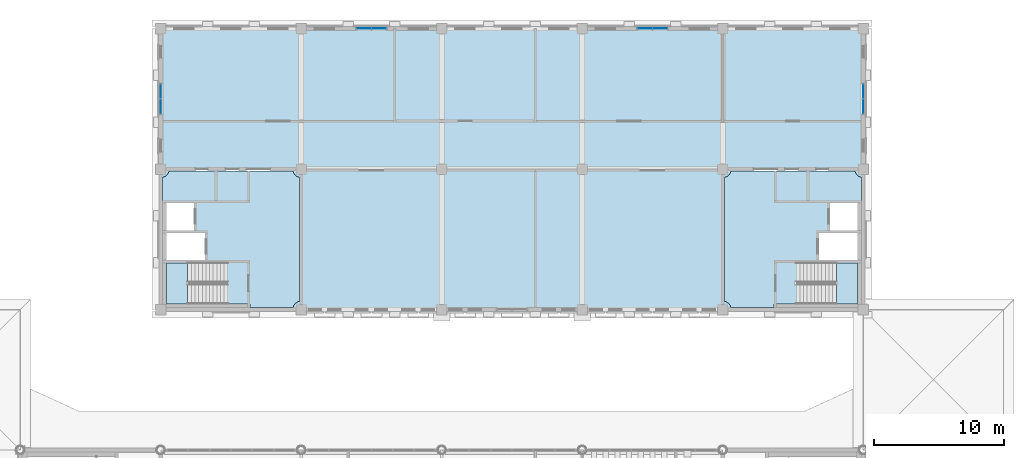
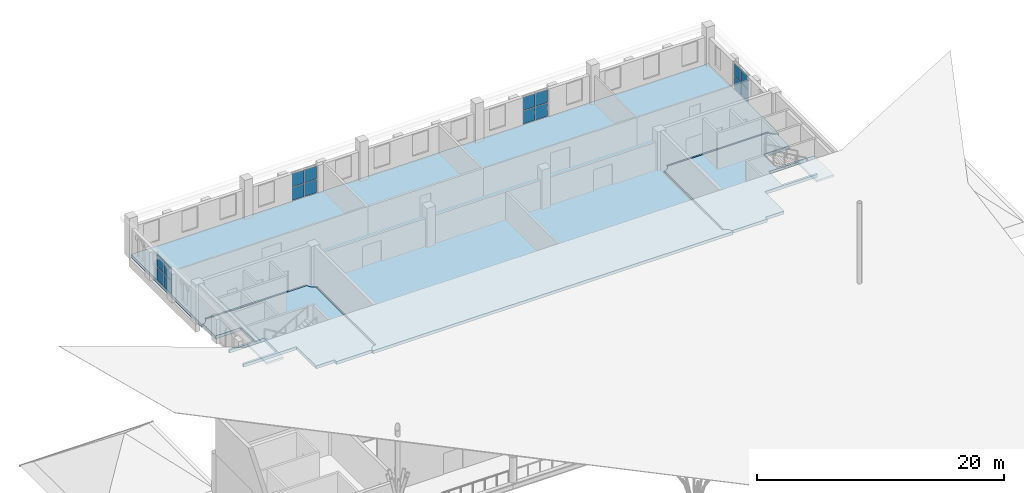
# One storey, part 32 of 56: 16 plates, 5 slabs, 6 elements without a shape of their own.
"""IFC4 building model written with IfcOpenShell, lengths in metres."""

from ifc_helpers import new_model, si_unit, direction, frame, origin, origin_2d, place, context, subcontext, project, spatial, polyline, rectangle, outline, extrude, material, layer, layer_set, type_object, element, aggregate, save


model = new_model("IFC4")

# Units and contexts
model_context = context("Model", 3, precision=1e-05, world=origin(), true_north=direction((0.0, 1.0)))
body_context = subcontext(model_context, "Body", "Model", "MODEL_VIEW")
ifc_project = project(units=[si_unit("LENGTHUNIT", "METRE"), si_unit("AREAUNIT", "SQUARE_METRE"), si_unit("VOLUMEUNIT", "CUBIC_METRE"), si_unit("PLANEANGLEUNIT", "RADIAN"), si_unit("MASSUNIT", "GRAM", prefix="KILO")], contexts=[model_context])

# Site, building, storey
site_placement = place(None, origin())
site = spatial("IfcSite", under=ifc_project, at=site_placement, CompositionType="ELEMENT")
building_placement = place(site_placement, origin())
building = spatial("IfcBuilding", under=site, at=building_placement, Name="Magnolia Steps Interchange", CompositionType="ELEMENT")
storey_placement = place(building_placement, frame((0.0, 0.0, 8.699951171875)))
storey = spatial("IfcBuildingStorey", under=building, at=storey_placement, Name="L02", CompositionType="ELEMENT", Elevation=8.699951171875)

# Slabs
ifc_material_1 = material(Name="Concrete C35", Category="concrete")
ifc_layer_1 = layer(ifc_material_1, 0.300048828125)
ifc_layer_set_1 = layer_set([ifc_layer_1], Name="Core floor slab 300")
slab_type_1 = type_object("IfcSlabType", Name="Core floor slab 300", PredefinedType="FLOOR", material=ifc_layer_set_1)
slab_1_placement = place(storey_placement, frame((0.0, 0.0, -0.300048828125)))
element("IfcSlab", 1, at=slab_1_placement, inside=storey, type_object=slab_type_1, Name="L02 core floor OC-W", PredefinedType="FLOOR", context=body_context, shape_type="SweptSolid", body=[
    extrude(outline(polyline([(70.85009765625, 96.85009765625), (69.10009765625, 96.85009765625), (69.10009765625, 100.0), (64.14990234375, 100.0), (64.14990234375, 100.199951171875), (67.39990234375, 100.199951171875), (67.39990234375, 102.300048828125), (64.14990234375, 102.300048828125), (64.14990234375, 102.5), (66.550048828125, 102.5), (66.550048828125, 104.60009765625), (64.14990234375, 104.60009765625), (64.14990234375, 106.568359375), (64.188720703125, 106.577880859375), (64.248779296875, 106.599609375), (64.306396484375, 106.626708984375), (64.361083984375, 106.659423828125), (64.412353515625, 106.697509765625), (64.459716796875, 106.740478515625), (64.50244140625, 106.78759765625), (64.54052734375, 106.8388671875), (64.5732421875, 106.8935546875), (64.6005859375, 106.951416015625), (64.6220703125, 107.01123046875), (64.631591796875, 107.050048828125), (74.168212890625, 107.050048828125), (74.177978515625, 107.01123046875), (74.199462890625, 106.951416015625), (74.226806640625, 106.8935546875), (74.259521484375, 106.8388671875), (74.297607421875, 106.78759765625), (74.34033203125, 106.740478515625), (74.3876953125, 106.697509765625), (74.43896484375, 106.659423828125), (74.49365234375, 106.626708984375), (74.55126953125, 106.599609375), (74.611328125, 106.577880859375), (74.64990234375, 106.568359375), (74.64990234375, 97.03173828125), (74.611328125, 97.02197265625), (74.55126953125, 97.00048828125), (74.49365234375, 96.97314453125), (74.43896484375, 96.9404296875), (74.3876953125, 96.902587890625), (74.34033203125, 96.859619140625), (74.297607421875, 96.8125), (74.259521484375, 96.760986328125), (74.226806640625, 96.706298828125), (74.199462890625, 96.648681640625), (74.177978515625, 96.588623046875), (74.168212890625, 96.550048828125), (70.85009765625, 96.550048828125), (70.85009765625, 96.85009765625)])), origin(), (0.0, 0.0, 1.0), 0.300048828125),
])
slab_2_placement = place(storey_placement, frame((0.0, 0.0, -0.300048828125)))
element("IfcSlab", 2, at=slab_2_placement, inside=storey, type_object=slab_type_1, Name="L02 core floor OC-E", PredefinedType="FLOOR", context=body_context, shape_type="SweptSolid", body=[
    extrude(outline(polyline([(107.35009765625, 106.568359375), (107.388671875, 106.577880859375), (107.44873046875, 106.599609375), (107.50634765625, 106.626708984375), (107.56103515625, 106.659423828125), (107.6123046875, 106.697509765625), (107.65966796875, 106.740478515625), (107.702392578125, 106.78759765625), (107.740478515625, 106.8388671875), (107.773193359375, 106.8935546875), (107.800537109375, 106.951416015625), (107.822021484375, 107.01123046875), (107.831787109375, 107.050048828125), (117.368408203125, 107.050048828125), (117.3779296875, 107.01123046875), (117.3994140625, 106.951416015625), (117.4267578125, 106.8935546875), (117.45947265625, 106.8388671875), (117.49755859375, 106.78759765625), (117.540283203125, 106.740478515625), (117.587646484375, 106.697509765625), (117.638916015625, 106.659423828125), (117.693603515625, 106.626708984375), (117.751220703125, 106.599609375), (117.811279296875, 106.577880859375), (117.85009765625, 106.568359375), (117.85009765625, 104.60009765625), (115.449951171875, 104.60009765625), (115.449951171875, 102.5), (117.85009765625, 102.5), (117.85009765625, 102.300048828125), (114.60009765625, 102.300048828125), (114.60009765625, 100.199951171875), (117.85009765625, 100.199951171875), (117.85009765625, 100.0), (112.89990234375, 100.0), (112.89990234375, 96.85009765625), (111.14990234375, 96.85009765625), (111.14990234375, 96.550048828125), (107.831787109375, 96.550048828125), (107.822021484375, 96.588623046875), (107.800537109375, 96.648681640625), (107.773193359375, 96.706298828125), (107.740478515625, 96.760986328125), (107.702392578125, 96.8125), (107.65966796875, 96.859619140625), (107.6123046875, 96.902587890625), (107.56103515625, 96.9404296875), (107.50634765625, 96.97314453125), (107.44873046875, 97.00048828125), (107.388671875, 97.02197265625), (107.35009765625, 97.03173828125), (107.35009765625, 106.568359375)])), origin(), (0.0, 0.0, 1.0), 0.300048828125),
])

# Stair, slab
ifc_material_2 = material(Name="Concrete C40", Category="concrete")
stair_type = type_object("IfcStairType", Name="Exit stair 1500", PredefinedType="HALF_TURN_STAIR", material=ifc_material_2)
stair_1_placement = place(storey_placement, origin())
stair_1 = element("IfcStair", 3, at=stair_1_placement, inside=storey, type_object=stair_type, Name="L02 Stair 28", PredefinedType="HALF_TURN_STAIR")
ifc_material_3 = material(Name="Concrete C40", Category="concrete")
ifc_layer_2 = layer(ifc_material_3, 0.199951171875)
ifc_layer_set_2 = layer_set([ifc_layer_2], Name="Exit stair landing 200")
slab_type_2 = type_object("IfcSlabType", Name="Exit stair landing 200", PredefinedType="LANDING", material=ifc_layer_set_2)
slab_3_placement = place(storey_placement, frame((0.0, 0.0, 1.75)))
slab_3 = element("IfcSlab", 4, at=slab_3_placement, type_object=slab_type_2, Name="Stair 28 landing 1", PredefinedType="LANDING", context=body_context, shape_type="SweptSolid", body=[
    extrude(outline(polyline([(66.070068359375, 100.0), (64.449951171875, 100.0), (64.449951171875, 96.85009765625), (66.070068359375, 96.85009765625), (66.070068359375, 100.0)])), origin(), (0.0, 0.0, 1.0), 0.199951171875),
])
aggregate(stair_1, [slab_3])

stair_2_placement = place(storey_placement, origin())
stair_2 = element("IfcStair", 5, at=stair_2_placement, inside=storey, type_object=stair_type, Name="L02 Stair 29", PredefinedType="HALF_TURN_STAIR")
slab_4_placement = place(storey_placement, frame((0.0, 0.0, 1.75)))
slab_4 = element("IfcSlab", 6, at=slab_4_placement, type_object=slab_type_2, Name="Stair 29 landing 1", PredefinedType="LANDING", context=body_context, shape_type="SweptSolid", body=[
    extrude(outline(polyline([(115.929931640625, 96.85009765625), (117.550048828125, 96.85009765625), (117.550048828125, 100.0), (115.929931640625, 100.0), (115.929931640625, 96.85009765625)])), origin(), (0.0, 0.0, 1.0), 0.199951171875),
])
aggregate(stair_2, [slab_4])

# Slab
ifc_material_4 = material(Name="Concrete C40", Category="concrete")
ifc_layer_3 = layer(ifc_material_4, 0.300048828125)
ifc_layer_set_3 = layer_set([ifc_layer_3], Name="Floor slab 300")
slab_type_3 = type_object("IfcSlabType", Name="Floor slab 300", PredefinedType="FLOOR", material=ifc_layer_set_3)
slab_5_placement = place(storey_placement, frame((0.0, 0.0, -0.300048828125)))
element("IfcSlab", 7, at=slab_5_placement, inside=storey, type_object=slab_type_3, Name="Operations floor L02", PredefinedType="FLOOR", context=body_context, shape_type="SweptSolid", body=[
    extrude(outline(polyline([(64.0, 106.550048828125), (64.063720703125, 106.552978515625), (64.126708984375, 106.5625), (64.188720703125, 106.577880859375), (64.248779296875, 106.599609375), (64.306396484375, 106.626708984375), (64.361083984375, 106.659423828125), (64.412353515625, 106.697509765625), (64.459716796875, 106.740478515625), (64.50244140625, 106.78759765625), (64.54052734375, 106.8388671875), (64.5732421875, 106.8935546875), (64.6005859375, 106.951416015625), (64.6220703125, 107.01123046875), (64.637451171875, 107.0732421875), (64.64697265625, 107.13623046875), (64.64990234375, 107.199951171875), (74.14990234375, 107.199951171875), (74.153076171875, 107.13623046875), (74.16259765625, 107.0732421875), (74.177978515625, 107.01123046875), (74.199462890625, 106.951416015625), (74.226806640625, 106.8935546875), (74.259521484375, 106.8388671875), (74.297607421875, 106.78759765625), (74.34033203125, 106.740478515625), (74.3876953125, 106.697509765625), (74.43896484375, 106.659423828125), (74.49365234375, 106.626708984375), (74.55126953125, 106.599609375), (74.611328125, 106.577880859375), (74.673095703125, 106.5625), (74.736328125, 106.552978515625), (74.800048828125, 106.550048828125), (74.800048828125, 97.050048828125), (74.736328125, 97.046875), (74.673095703125, 97.03759765625), (74.611328125, 97.02197265625), (74.55126953125, 97.00048828125), (74.49365234375, 96.97314453125), (74.43896484375, 96.9404296875), (74.3876953125, 96.902587890625), (74.34033203125, 96.859619140625), (74.297607421875, 96.8125), (74.259521484375, 96.760986328125), (74.226806640625, 96.706298828125), (74.199462890625, 96.648681640625), (74.177978515625, 96.588623046875), (74.16259765625, 96.52685546875), (74.153076171875, 96.463623046875), (74.14990234375, 96.39990234375), (107.85009765625, 96.39990234375), (107.846923828125, 96.463623046875), (107.83740234375, 96.52685546875), (107.822021484375, 96.588623046875), (107.800537109375, 96.648681640625), (107.773193359375, 96.706298828125), (107.740478515625, 96.760986328125), (107.702392578125, 96.8125), (107.65966796875, 96.859619140625), (107.6123046875, 96.902587890625), (107.56103515625, 96.9404296875), (107.50634765625, 96.97314453125), (107.44873046875, 97.00048828125), (107.388671875, 97.02197265625), (107.326904296875, 97.03759765625), (107.263671875, 97.046875), (107.199951171875, 97.050048828125), (107.199951171875, 106.550048828125), (107.263671875, 106.552978515625), (107.326904296875, 106.5625), (107.388671875, 106.577880859375), (107.44873046875, 106.599609375), (107.50634765625, 106.626708984375), (107.56103515625, 106.659423828125), (107.6123046875, 106.697509765625), (107.65966796875, 106.740478515625), (107.702392578125, 106.78759765625), (107.740478515625, 106.8388671875), (107.773193359375, 106.8935546875), (107.800537109375, 106.951416015625), (107.822021484375, 107.01123046875), (107.83740234375, 107.0732421875), (107.846923828125, 107.13623046875), (107.85009765625, 107.199951171875), (117.35009765625, 107.199951171875), (117.35302734375, 107.13623046875), (117.362548828125, 107.0732421875), (117.3779296875, 107.01123046875), (117.3994140625, 106.951416015625), (117.4267578125, 106.8935546875), (117.45947265625, 106.8388671875), (117.49755859375, 106.78759765625), (117.540283203125, 106.740478515625), (117.587646484375, 106.697509765625), (117.638916015625, 106.659423828125), (117.693603515625, 106.626708984375), (117.751220703125, 106.599609375), (117.811279296875, 106.577880859375), (117.873291015625, 106.5625), (117.936279296875, 106.552978515625), (118.0, 106.550048828125), (118.0, 118.0), (64.0, 118.0), (64.0, 106.550048828125)])), origin(), (0.0, 0.0, 1.0), 0.300048828125),
])

# Curtain wall, plates
ifc_material_5 = material(Name="Powder-coated aluminium and glass", Category="aluminium")
ifc_layer_4 = layer(ifc_material_5, 0.199951171875)
ifc_layer_set_4 = layer_set([ifc_layer_4], Name="Glazed central bay curtain wall")
curtain_wall_type = type_object("IfcCurtainWallType", Name="Glazed central bay curtain wall", PredefinedType="NOTDEFINED", material=ifc_layer_set_4)
curtain_wall_1_placement = place(storey_placement, origin())
curtain_wall_1 = element("IfcCurtainWall", 8, at=curtain_wall_1_placement, inside=storey, type_object=curtain_wall_type, Name="Operations building north wall L02 glazing 2", PredefinedType="NOTDEFINED")
ifc_material_6 = material(Name="Laminated glass", Category="glass")
ifc_layer_5 = layer(ifc_material_6, 0.028076171875)
ifc_layer_set_5 = layer_set([ifc_layer_5], Name="Glass panel 28")
plate_type = type_object("IfcPlateType", Name="Glass panel 28", PredefinedType="CURTAIN_PANEL", material=ifc_layer_set_5)
plate_1_placement = place(storey_placement, frame((79.614990234375, 118.0, 0.06005859375), z_axis=(0.0, 0.0, 1.0), x_axis=(1.0, 0.0, 0.0)))
plate_1 = element("IfcPlate", 9, at=plate_1_placement, type_object=plate_type, Name="CW2 panel 1.1", PredefinedType="CURTAIN_PANEL", context=body_context, shape_type="SweptSolid", body=[
    extrude(rectangle(XDim=1.110107421875, YDim=0.028076171875, at=origin_2d()), origin(), (0.0, 0.0, 1.0), 1.284912109375),
])
plate_2_placement = place(storey_placement, frame((79.614990234375, 118.0, 1.4052734375), z_axis=(0.0, 0.0, 1.0), x_axis=(1.0, 0.0, 0.0)))
plate_2 = element("IfcPlate", 10, at=plate_2_placement, type_object=plate_type, Name="CW2 panel 1.2", PredefinedType="CURTAIN_PANEL", context=body_context, shape_type="SweptSolid", body=[
    extrude(rectangle(XDim=1.110107421875, YDim=0.028076171875, at=origin_2d()), origin(), (0.0, 0.0, 1.0), 1.284912109375),
])
plate_3_placement = place(storey_placement, frame((80.784912109375, 118.0, 0.06005859375), z_axis=(0.0, 0.0, 1.0), x_axis=(1.0, 0.0, 0.0)))
plate_3 = element("IfcPlate", 11, at=plate_3_placement, type_object=plate_type, Name="CW2 panel 2.1", PredefinedType="CURTAIN_PANEL", context=body_context, shape_type="SweptSolid", body=[
    extrude(rectangle(XDim=1.110107421875, YDim=0.028076171875, at=origin_2d()), origin(), (0.0, 0.0, 1.0), 1.284912109375),
])
plate_4_placement = place(storey_placement, frame((80.784912109375, 118.0, 1.4052734375), z_axis=(0.0, 0.0, 1.0), x_axis=(1.0, 0.0, 0.0)))
plate_4 = element("IfcPlate", 12, at=plate_4_placement, type_object=plate_type, Name="CW2 panel 2.2", PredefinedType="CURTAIN_PANEL", context=body_context, shape_type="SweptSolid", body=[
    extrude(rectangle(XDim=1.110107421875, YDim=0.028076171875, at=origin_2d()), origin(), (0.0, 0.0, 1.0), 1.284912109375),
])
aggregate(curtain_wall_1, [plate_1, plate_2, plate_3, plate_4])

curtain_wall_2_placement = place(storey_placement, origin())
curtain_wall_2 = element("IfcCurtainWall", 13, at=curtain_wall_2_placement, inside=storey, type_object=curtain_wall_type, Name="Operations building north wall L02 glazing 4", PredefinedType="NOTDEFINED")
plate_5_placement = place(storey_placement, frame((101.215087890625, 118.0, 0.06005859375), z_axis=(0.0, 0.0, 1.0), x_axis=(1.0, 0.0, 0.0)))
plate_5 = element("IfcPlate", 14, at=plate_5_placement, type_object=plate_type, Name="CW2 panel 1.1", PredefinedType="CURTAIN_PANEL", context=body_context, shape_type="SweptSolid", body=[
    extrude(rectangle(XDim=1.110107421875, YDim=0.028076171875, at=origin_2d()), origin(), (0.0, 0.0, 1.0), 1.284912109375),
])
plate_6_placement = place(storey_placement, frame((101.215087890625, 118.0, 1.4052734375), z_axis=(0.0, 0.0, 1.0), x_axis=(1.0, 0.0, 0.0)))
plate_6 = element("IfcPlate", 15, at=plate_6_placement, type_object=plate_type, Name="CW2 panel 1.2", PredefinedType="CURTAIN_PANEL", context=body_context, shape_type="SweptSolid", body=[
    extrude(rectangle(XDim=1.110107421875, YDim=0.028076171875, at=origin_2d()), origin(), (0.0, 0.0, 1.0), 1.284912109375),
])
plate_7_placement = place(storey_placement, frame((102.385009765625, 118.0, 0.06005859375), z_axis=(0.0, 0.0, 1.0), x_axis=(1.0, 0.0, 0.0)))
plate_7 = element("IfcPlate", 16, at=plate_7_placement, type_object=plate_type, Name="CW2 panel 2.1", PredefinedType="CURTAIN_PANEL", context=body_context, shape_type="SweptSolid", body=[
    extrude(rectangle(XDim=1.110107421875, YDim=0.028076171875, at=origin_2d()), origin(), (0.0, 0.0, 1.0), 1.284912109375),
])
plate_8_placement = place(storey_placement, frame((102.385009765625, 118.0, 1.4052734375), z_axis=(0.0, 0.0, 1.0), x_axis=(1.0, 0.0, 0.0)))
plate_8 = element("IfcPlate", 17, at=plate_8_placement, type_object=plate_type, Name="CW2 panel 2.2", PredefinedType="CURTAIN_PANEL", context=body_context, shape_type="SweptSolid", body=[
    extrude(rectangle(XDim=1.110107421875, YDim=0.028076171875, at=origin_2d()), origin(), (0.0, 0.0, 1.0), 1.284912109375),
])
aggregate(curtain_wall_2, [plate_5, plate_6, plate_7, plate_8])

curtain_wall_3_placement = place(storey_placement, origin())
curtain_wall_3 = element("IfcCurtainWall", 18, at=curtain_wall_3_placement, inside=storey, type_object=curtain_wall_type, Name="Operations building west wall L02 glazing 2", PredefinedType="NOTDEFINED")
plate_9_placement = place(storey_placement, frame((64.0, 112.014892578125, 0.06005859375), z_axis=(0.0, 0.0, 1.0), x_axis=(0.0, 1.0, 0.0)))
plate_9 = element("IfcPlate", 19, at=plate_9_placement, type_object=plate_type, Name="CW2 panel 1.1", PredefinedType="CURTAIN_PANEL", context=body_context, shape_type="SweptSolid", body=[
    extrude(rectangle(XDim=1.110107421875, YDim=0.028076171875, at=origin_2d()), origin(), (0.0, 0.0, 1.0), 1.260009765625),
])
plate_10_placement = place(storey_placement, frame((64.0, 112.014892578125, 1.3798828125), z_axis=(0.0, 0.0, 1.0), x_axis=(0.0, 1.0, 0.0)))
plate_10 = element("IfcPlate", 20, at=plate_10_placement, type_object=plate_type, Name="CW2 panel 1.2", PredefinedType="CURTAIN_PANEL", context=body_context, shape_type="SweptSolid", body=[
    extrude(rectangle(XDim=1.110107421875, YDim=0.028076171875, at=origin_2d()), origin(), (0.0, 0.0, 1.0), 1.260009765625),
])
plate_11_placement = place(storey_placement, frame((64.0, 113.18505859375, 0.06005859375), z_axis=(0.0, 0.0, 1.0), x_axis=(0.0, 1.0, 0.0)))
plate_11 = element("IfcPlate", 21, at=plate_11_placement, type_object=plate_type, Name="CW2 panel 2.1", PredefinedType="CURTAIN_PANEL", context=body_context, shape_type="SweptSolid", body=[
    extrude(rectangle(XDim=1.110107421875, YDim=0.028076171875, at=origin_2d()), origin(), (0.0, 0.0, 1.0), 1.260009765625),
])
plate_12_placement = place(storey_placement, frame((64.0, 113.18505859375, 1.3798828125), z_axis=(0.0, 0.0, 1.0), x_axis=(0.0, 1.0, 0.0)))
plate_12 = element("IfcPlate", 22, at=plate_12_placement, type_object=plate_type, Name="CW2 panel 2.2", PredefinedType="CURTAIN_PANEL", context=body_context, shape_type="SweptSolid", body=[
    extrude(rectangle(XDim=1.110107421875, YDim=0.028076171875, at=origin_2d()), origin(), (0.0, 0.0, 1.0), 1.260009765625),
])
aggregate(curtain_wall_3, [plate_9, plate_10, plate_11, plate_12])

curtain_wall_4_placement = place(storey_placement, origin())
curtain_wall_4 = element("IfcCurtainWall", 23, at=curtain_wall_4_placement, inside=storey, type_object=curtain_wall_type, Name="Operations building east wall L02 glazing 2", PredefinedType="NOTDEFINED")
plate_13_placement = place(storey_placement, frame((118.0, 112.014892578125, 0.06005859375), z_axis=(0.0, 0.0, 1.0), x_axis=(0.0, 1.0, 0.0)))
plate_13 = element("IfcPlate", 24, at=plate_13_placement, type_object=plate_type, Name="CW2 panel 1.1", PredefinedType="CURTAIN_PANEL", context=body_context, shape_type="SweptSolid", body=[
    extrude(rectangle(XDim=1.110107421875, YDim=0.028076171875, at=origin_2d()), origin(), (0.0, 0.0, 1.0), 1.260009765625),
])
plate_14_placement = place(storey_placement, frame((118.0, 112.014892578125, 1.3798828125), z_axis=(0.0, 0.0, 1.0), x_axis=(0.0, 1.0, 0.0)))
plate_14 = element("IfcPlate", 25, at=plate_14_placement, type_object=plate_type, Name="CW2 panel 1.2", PredefinedType="CURTAIN_PANEL", context=body_context, shape_type="SweptSolid", body=[
    extrude(rectangle(XDim=1.110107421875, YDim=0.028076171875, at=origin_2d()), origin(), (0.0, 0.0, 1.0), 1.260009765625),
])
plate_15_placement = place(storey_placement, frame((118.0, 113.18505859375, 0.06005859375), z_axis=(0.0, 0.0, 1.0), x_axis=(0.0, 1.0, 0.0)))
plate_15 = element("IfcPlate", 26, at=plate_15_placement, type_object=plate_type, Name="CW2 panel 2.1", PredefinedType="CURTAIN_PANEL", context=body_context, shape_type="SweptSolid", body=[
    extrude(rectangle(XDim=1.110107421875, YDim=0.028076171875, at=origin_2d()), origin(), (0.0, 0.0, 1.0), 1.260009765625),
])
plate_16_placement = place(storey_placement, frame((118.0, 113.18505859375, 1.3798828125), z_axis=(0.0, 0.0, 1.0), x_axis=(0.0, 1.0, 0.0)))
plate_16 = element("IfcPlate", 27, at=plate_16_placement, type_object=plate_type, Name="CW2 panel 2.2", PredefinedType="CURTAIN_PANEL", context=body_context, shape_type="SweptSolid", body=[
    extrude(rectangle(XDim=1.110107421875, YDim=0.028076171875, at=origin_2d()), origin(), (0.0, 0.0, 1.0), 1.260009765625),
])
aggregate(curtain_wall_4, [plate_13, plate_14, plate_15, plate_16])

save(model, "model.ifc")
